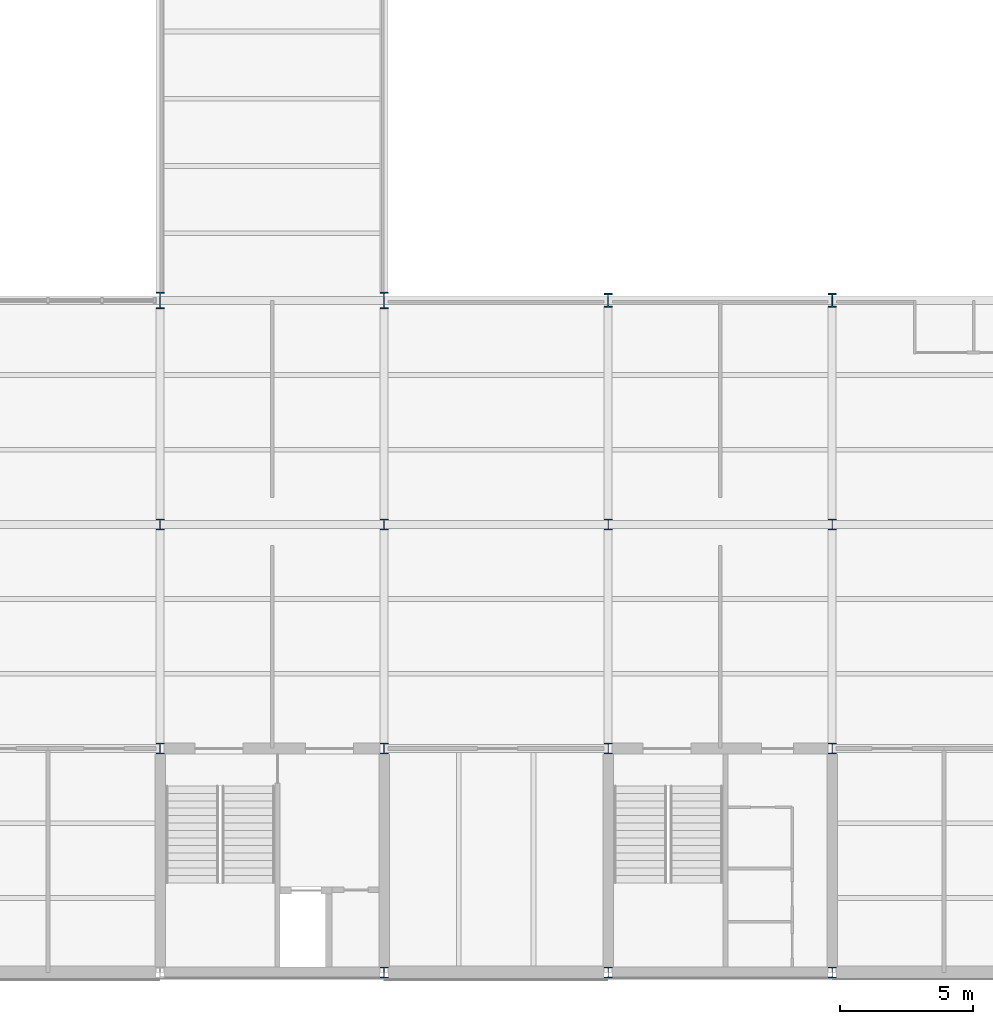
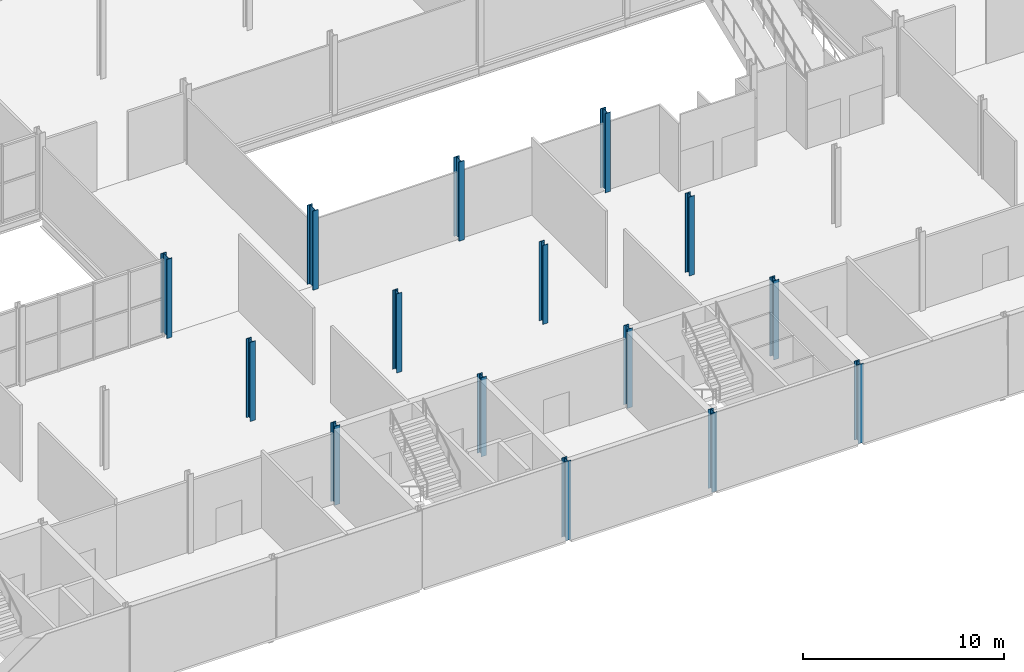
# One storey, part 2 of 57: 15 columns.
"""IFC4 building model written with IfcOpenShell, lengths in metres."""

from ifc_helpers import new_model, si_unit, direction, frame, origin, origin_2d, place, context, subcontext, project, spatial, i_section, extrude, material, material_profile, profile_set, type_object, element, save


model = new_model("IFC4")

# Units and contexts
model_context = context("Model", 3, precision=1e-05, world=origin(), true_north=direction((0.0, 1.0)))
body_context = subcontext(model_context, "Body", "Model", "MODEL_VIEW")
ifc_project = project(units=[si_unit("LENGTHUNIT", "METRE"), si_unit("AREAUNIT", "SQUARE_METRE"), si_unit("VOLUMEUNIT", "CUBIC_METRE"), si_unit("PLANEANGLEUNIT", "RADIAN"), si_unit("MASSUNIT", "GRAM", prefix="KILO")], contexts=[model_context])

# Site, building, storey
site_placement = place(None, origin())
site = spatial("IfcSite", under=ifc_project, at=site_placement, CompositionType="ELEMENT")
building_placement = place(site_placement, origin())
building = spatial("IfcBuilding", under=site, at=building_placement, Name="Galleria Vessillo Department Store", CompositionType="ELEMENT")
storey_placement = place(building_placement, frame((0.0, 0.0, 21.0)))
storey = spatial("IfcBuildingStorey", under=building, at=storey_placement, Name="L04", CompositionType="ELEMENT", Elevation=21.0)

# Columns
ifc_material_1 = material(Name="Steel S355 J2", Category="steel")
ifc_material_profile_1 = material_profile(ifc_material_1, i_section(OverallWidth=0.300048828125, OverallDepth=0.39990234375, WebThickness=0.013427734375, FlangeThickness=0.02392578125, FilletRadius=0.027099609375, at=origin_2d()), Name="HEB 400")
ifc_profile_set_1 = profile_set([ifc_material_profile_1], Name="Steel S355 J2")
column_type_1 = type_object("IfcColumnType", Name="Steel column HEB 400 CP2", PredefinedType="COLUMN", material=ifc_profile_set_1)
for number, where, z_axis, x_axis, name in (
    (1, (33.60009765625, 8.39990234375, 0.0), (0.0, 0.0, 1.0), (1.0, 0.0, 0.0), "S-COL-L04-5-B"),
    (2, (33.60009765625, 16.800048828125, 0.0), (0.0, 0.0, 1.0), (1.0, 0.0, 0.0), "S-COL-L04-5-C"),
    (3, (42.0, 0.0, 0.0), (0.0, 0.0, 1.0), (1.0, 0.0, 0.0), "S-COL-L04-6-A"),
    (4, (42.0, 8.39990234375, 0.0), (0.0, 0.0, 1.0), (1.0, 0.0, 0.0), "S-COL-L04-6-B"),
    (5, (42.0, 16.800048828125, 0.0), (0.0, 0.0, 1.0), (1.0, 0.0, 0.0), "S-COL-L04-6-C"),
    (6, (50.39990234375, 0.0, 0.0), (0.0, 0.0, 1.0), (1.0, 0.0, 0.0), "S-COL-L04-7-A"),
    (7, (50.39990234375, 8.39990234375, 0.0), (0.0, 0.0, 1.0), (1.0, 0.0, 0.0), "S-COL-L04-7-B"),
    (8, (50.39990234375, 16.800048828125, 0.0), (0.0, 0.0, 1.0), (1.0, 0.0, 0.0), "S-COL-L04-7-C"),
    (9, (58.800048828125, 0.0, 0.0), (0.0, 0.0, 1.0), (1.0, 0.0, 0.0), "S-COL-L04-8-A"),
    (10, (58.800048828125, 8.39990234375, 0.0), (0.0, 0.0, 1.0), (1.0, 0.0, 0.0), "S-COL-L04-8-B"),
    (11, (58.800048828125, 16.800048828125, 0.0), (0.0, 0.0, 1.0), (1.0, 0.0, 0.0), "S-COL-L04-8-C"),
):
    element("IfcColumn", number, at=place(storey_placement, frame(where, z_axis=z_axis, x_axis=x_axis)), inside=storey, type_object=column_type_1, Name=name, PredefinedType="COLUMN", context=body_context, shape_type="SweptSolid", body=[
        extrude(i_section(OverallWidth=0.300048828125, OverallDepth=0.39990234375, WebThickness=0.013427734375, FlangeThickness=0.02392578125, FilletRadius=0.027099609375, at=origin_2d()), origin(), (0.0, 0.0, 1.0), 4.800048828125),
    ])
ifc_material_2 = material(Name="Steel S355 J2", Category="steel")
ifc_material_profile_2 = material_profile(ifc_material_2, i_section(OverallWidth=0.305908203125, OverallDepth=0.52392578125, WebThickness=0.02099609375, FlangeThickness=0.0400390625, FilletRadius=0.027099609375, at=origin_2d()), Name="HEM 500")
ifc_profile_set_2 = profile_set([ifc_material_profile_2], Name="Steel S355 J2")
column_type_2 = type_object("IfcColumnType", Name="Steel column HEM 500 CV1", PredefinedType="COLUMN", material=ifc_profile_set_2)
for number, where, z_axis, x_axis, name in (
    (12, (50.39990234375, 25.199951171875, 0.0), (0.0, 0.0, 1.0), (1.0, 0.0, 0.0), "S-COL-L04-7-D"),
    (13, (58.800048828125, 25.199951171875, 0.0), (0.0, 0.0, 1.0), (1.0, 0.0, 0.0), "S-COL-L04-8-D"),
):
    element("IfcColumn", number, at=place(storey_placement, frame(where, z_axis=z_axis, x_axis=x_axis)), inside=storey, type_object=column_type_2, Name=name, PredefinedType="COLUMN", context=body_context, shape_type="SweptSolid", body=[
        extrude(i_section(OverallWidth=0.305908203125, OverallDepth=0.52392578125, WebThickness=0.02099609375, FlangeThickness=0.0400390625, FilletRadius=0.027099609375, at=origin_2d()), origin(), (0.0, 0.0, 1.0), 4.800048828125),
    ])
ifc_material_3 = material(Name="Steel S355 J2", Category="steel")
ifc_material_profile_3 = material_profile(ifc_material_3, i_section(OverallWidth=0.304931640625, OverallDepth=0.6201171875, WebThickness=0.02099609375, FlangeThickness=0.0400390625, FilletRadius=0.027099609375, at=origin_2d()), Name="HEM 600")
ifc_profile_set_3 = profile_set([ifc_material_profile_3], Name="Steel S355 J2")
column_type_3 = type_object("IfcColumnType", Name="Steel column HEM 600 CV2", PredefinedType="COLUMN", material=ifc_profile_set_3)
for number, where, z_axis, x_axis, name in (
    (14, (33.60009765625, 25.199951171875, 0.0), (0.0, 0.0, 1.0), (1.0, 0.0, 0.0), "S-COL-L04-5-D"),
    (15, (42.0, 25.199951171875, 0.0), (0.0, 0.0, 1.0), (1.0, 0.0, 0.0), "S-COL-L04-6-D"),
):
    element("IfcColumn", number, at=place(storey_placement, frame(where, z_axis=z_axis, x_axis=x_axis)), inside=storey, type_object=column_type_3, Name=name, PredefinedType="COLUMN", context=body_context, shape_type="SweptSolid", body=[
        extrude(i_section(OverallWidth=0.304931640625, OverallDepth=0.6201171875, WebThickness=0.02099609375, FlangeThickness=0.0400390625, FilletRadius=0.027099609375, at=origin_2d()), origin(), (0.0, 0.0, 1.0), 4.800048828125),
    ])

save(model, "model.ifc")
